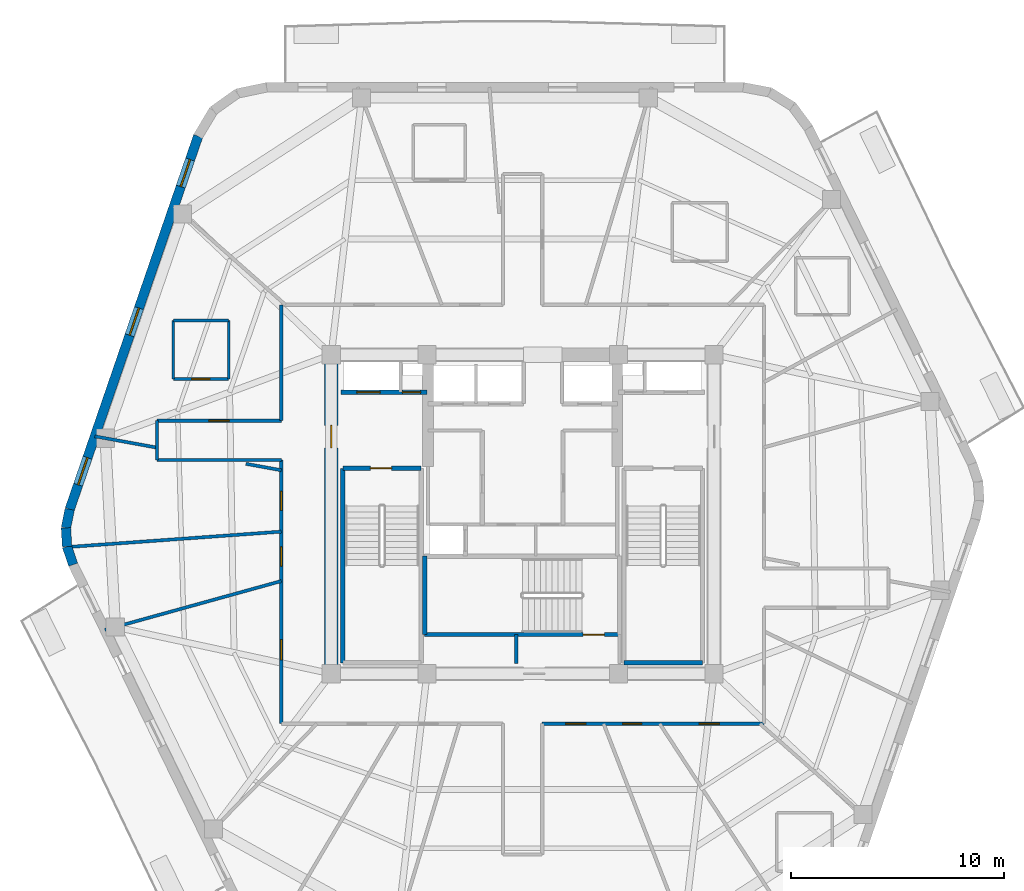
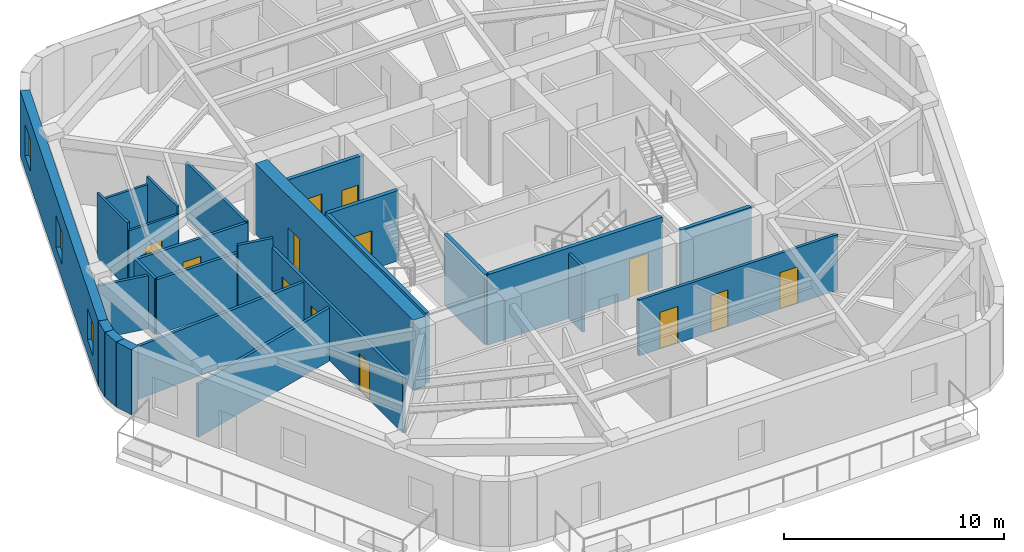
# One storey, part 3 of 9: 26 walls, 13 doors, 3 windows, 16 openings.
"""IFC4 building model written with IfcOpenShell, lengths in metres."""

from ifc_helpers import new_model, si_unit, direction, frame, frame_2d, origin, place, context, subcontext, project, spatial, rectangle, extrude, material, layer, layer_set, type_object, element, fill, save


model = new_model("IFC4")

# Units and contexts
model_context = context("Model", 3, precision=1e-05, world=origin(), true_north=direction((0.0, 1.0)))
body_context = subcontext(model_context, "Body", "Model", "MODEL_VIEW")
ifc_project = project(units=[si_unit("LENGTHUNIT", "METRE"), si_unit("AREAUNIT", "SQUARE_METRE"), si_unit("VOLUMEUNIT", "CUBIC_METRE"), si_unit("PLANEANGLEUNIT", "RADIAN"), si_unit("MASSUNIT", "GRAM", prefix="KILO")], contexts=[model_context])

# Site, building, storey
site_placement = place(None, origin())
site = spatial("IfcSite", under=ifc_project, at=site_placement, CompositionType="ELEMENT")
building_placement = place(site_placement, origin())
building = spatial("IfcBuilding", under=site, at=building_placement, Name="Kilnhurst Terrace Hotel", CompositionType="ELEMENT")
storey_placement = place(building_placement, frame((0.0, 0.0, 280.800048828125)))
storey = spatial("IfcBuildingStorey", under=building, at=storey_placement, Name="L70", CompositionType="ELEMENT", Elevation=280.800048828125)

# Walls
ifc_material_1 = material(Name="Precast concrete C40/50", Category="concrete")
ifc_layer_1 = layer(ifc_material_1, 0.449951171875, Name="Precast concrete C40/50")
ifc_layer_set_1 = layer_set([ifc_layer_1], Name="Precast concrete C40/50")
wall_type_1 = type_object("IfcWallType", Name="WL-BRK-450", PredefinedType="SOLIDWALL", material=ifc_layer_set_1)
wall_1_placement = place(storey_placement, frame((-21.297607421875, 0.2333984375, 0.0), z_axis=(0.0, 0.0, 1.0), x_axis=(-0.199158176661, -0.979967356941, 0.0)))
element("IfcWall", 1, at=wall_1_placement, inside=storey, type_object=wall_type_1, Name="L70 Rounded Corner Brick Wall C6.1", PredefinedType="SOLIDWALL", context=body_context, shape_type="SweptSolid", body=[
    extrude(rectangle(XDim=0.894775390625, YDim=0.449951171875, at=frame_2d((0.447265625, 0.0))), origin(), (0.0, 0.0, 1.0), 3.599853515625),
])
wall_2_placement = place(storey_placement, frame((-21.475830078125, -0.6435546875, 0.0), z_axis=(0.0, 0.0, 1.0), x_axis=(0.061031097918, -0.998135865044, 0.0)))
element("IfcWall", 2, at=wall_2_placement, inside=storey, type_object=wall_type_1, Name="L70 Rounded Corner Brick Wall C6.2", PredefinedType="SOLIDWALL", context=body_context, shape_type="SweptSolid", body=[
    extrude(rectangle(XDim=0.880126953125, YDim=0.449951171875, at=frame_2d((0.43994140625, 0.0))), origin(), (0.0, 0.0, 1.0), 3.599853515625),
])
wall_3_placement = place(storey_placement, frame((-21.422119140625, -1.52197265625, 0.0), z_axis=(0.0, 0.0, 1.0), x_axis=(0.316964162323, -0.94843751497, 0.0)))
element("IfcWall", 3, at=wall_3_placement, inside=storey, type_object=wall_type_1, Name="L70 Rounded Corner Brick Wall C6.3", PredefinedType="SOLIDWALL", context=body_context, shape_type="SweptSolid", body=[
    extrude(rectangle(XDim=0.89501953125, YDim=0.449951171875, at=frame_2d((0.447509765625, 0.0))), origin(), (0.0, 0.0, 1.0), 3.599853515625),
])

# Wall, openings, windows
wall_4_placement = place(storey_placement, frame((-15.260498046875, 17.776123046875, 0.0), z_axis=(0.0, 0.0, 1.0), x_axis=(-0.325407437101, -0.945573899745, 0.0)))
wall_4 = element("IfcWall", 4, at=wall_4_placement, inside=storey, type_object=wall_type_1, Name="L70 Exterior Brick Facade Wall F5", PredefinedType="SOLIDWALL", context=body_context, shape_type="SweptSolid", body=[
    extrude(rectangle(XDim=18.552490234375, YDim=0.449951171875, at=frame_2d((9.2763671875, 0.0))), origin(), (0.0, 0.0, 1.0), 3.599853515625),
])
opening_1_placement = place(wall_4_placement, frame((1.160888671875, 0.0, 0.800048828125)))
opening_1 = element("IfcOpeningElement", 5, at=opening_1_placement, cuts=wall_4, Name="Opening W-06", PredefinedType="OPENING", context=body_context, shape_type="SweptSolid", body=[
    extrude(rectangle(XDim=1.35009765625, YDim=1.75, at=frame_2d((0.675048828125, 0.875))), frame((0.0, 0.23486328125, 0.0), z_axis=(0.0, -1.0, 0.0), x_axis=(1.0, 0.0, 0.0)), (0.0, 0.0, 1.0), 0.469970703125),
])
opening_2_placement = place(wall_4_placement, frame((8.548095703125, 0.0, 0.800048828125)))
opening_2 = element("IfcOpeningElement", 6, at=opening_2_placement, cuts=wall_4, Name="Opening W-06", PredefinedType="OPENING", context=body_context, shape_type="SweptSolid", body=[
    extrude(rectangle(XDim=1.35009765625, YDim=1.75, at=frame_2d((0.675048828125, 0.875))), frame((0.0, 0.23486328125, 0.0), z_axis=(0.0, -1.0, 0.0), x_axis=(1.0, 0.0, 0.0)), (0.0, 0.0, 1.0), 0.469970703125),
])
opening_3_placement = place(wall_4_placement, frame((15.987060546875, 0.0, 0.800048828125)))
opening_3 = element("IfcOpeningElement", 7, at=opening_3_placement, cuts=wall_4, Name="Opening W-06", PredefinedType="OPENING", context=body_context, shape_type="SweptSolid", body=[
    extrude(rectangle(XDim=1.35009765625, YDim=1.75, at=frame_2d((0.675048828125, 0.875))), frame((0.0, 0.23486328125, 0.0), z_axis=(0.0, -1.0, 0.0), x_axis=(1.0, 0.0, 0.0)), (0.0, 0.0, 1.0), 0.469970703125),
])
ifc_material_2 = material(Name="Thermally Broken Bronze Aluminium Alloy 6063-T6 and Low-E Glass", Category="aluminium")
window_type = type_object("IfcWindowType", Name="WIN-1350X1750", PartitioningType="SINGLE_PANEL", PredefinedType="WINDOW", material=ifc_material_2)
window_1_placement = place(opening_1_placement, origin())
window_1 = element("IfcWindow", 8, at=window_1_placement, inside=storey, type_object=window_type, Name="L70 Deep-Set Masonry Window F5.1", OverallHeight=1.75, OverallWidth=1.35009765625, PartitioningType="SINGLE_PANEL", PredefinedType="WINDOW", context=body_context, shape_type="SweptSolid", body=[
    extrude(rectangle(XDim=1.35009765625, YDim=1.75, at=frame_2d((0.675048828125, 0.875))), frame((0.0, 0.030029296875, 0.0), z_axis=(0.0, -1.0, 0.0), x_axis=(1.0, 0.0, 0.0)), (0.0, 0.0, 1.0), 0.06005859375),
])
fill(opening_1, window_1)
window_2_placement = place(opening_2_placement, origin())
window_2 = element("IfcWindow", 9, at=window_2_placement, inside=storey, type_object=window_type, Name="L70 Deep-Set Masonry Window F5.2", OverallHeight=1.75, OverallWidth=1.35009765625, PartitioningType="SINGLE_PANEL", PredefinedType="WINDOW", context=body_context, shape_type="SweptSolid", body=[
    extrude(rectangle(XDim=1.35009765625, YDim=1.75, at=frame_2d((0.675048828125, 0.875))), frame((0.0, 0.030029296875, 0.0), z_axis=(0.0, -1.0, 0.0), x_axis=(1.0, 0.0, 0.0)), (0.0, 0.0, 1.0), 0.06005859375),
])
fill(opening_2, window_2)
window_3_placement = place(opening_3_placement, origin())
window_3 = element("IfcWindow", 10, at=window_3_placement, inside=storey, type_object=window_type, Name="L70 Deep-Set Masonry Window F5.3", OverallHeight=1.75, OverallWidth=1.35009765625, PartitioningType="SINGLE_PANEL", PredefinedType="WINDOW", context=body_context, shape_type="SweptSolid", body=[
    extrude(rectangle(XDim=1.35009765625, YDim=1.75, at=frame_2d((0.675048828125, 0.875))), frame((0.0, 0.030029296875, 0.0), z_axis=(0.0, -1.0, 0.0), x_axis=(1.0, 0.0, 0.0)), (0.0, 0.0, 1.0), 0.06005859375),
])
fill(opening_3, window_3)

# Wall, openings, doors
ifc_material_3 = material(Name="Acoustic Double-Gypsum Corridor Partition Assembly")
ifc_layer_2 = layer(ifc_material_3, 0.14990234375, Name="Acoustic Double-Gypsum Corridor Partition Assembly")
ifc_layer_set_2 = layer_set([ifc_layer_2], Name="Acoustic Double-Gypsum Corridor Partition Assembly")
wall_type_2 = type_object("IfcWallType", Name="WL-COR-150", PredefinedType="PARTITIONING", material=ifc_layer_set_2)
wall_5_placement = place(storey_placement, frame((-11.35009765625, -9.85009765625, 0.0), z_axis=(0.0, 0.0, 1.0), x_axis=(0.0, 1.0, 0.0)))
wall_5 = element("IfcWall", 11, at=wall_5_placement, inside=storey, type_object=wall_type_2, Name="L70 Interior Wall WL-L70-COR-01", PredefinedType="PARTITIONING", context=body_context, shape_type="SweptSolid", body=[
    extrude(rectangle(XDim=12.400146484375, YDim=0.14990234375, at=frame_2d((6.2001953125, 0.0))), origin(), (0.0, 0.0, 1.0), 3.08984375),
])
opening_4_placement = place(wall_5_placement, frame((10.02587890625, 0.0, 0.0)))
opening_4 = element("IfcOpeningElement", 12, at=opening_4_placement, cuts=wall_5, Name="Opening D-60C", PredefinedType="OPENING", context=body_context, shape_type="SweptSolid", body=[
    extrude(rectangle(XDim=0.89990234375, YDim=2.030029296875, at=frame_2d((0.449951171875, 1.01513671875))), frame((0.0, 0.0849609375, 0.0), z_axis=(0.0, -1.0, 0.0), x_axis=(1.0, 0.0, 0.0)), (0.0, 0.0, 1.0), 0.169921875),
])
opening_5_placement = place(wall_5_placement, frame((7.4150390625, 0.0, 0.0)))
opening_5 = element("IfcOpeningElement", 13, at=opening_5_placement, cuts=wall_5, Name="Opening D-60C", PredefinedType="OPENING", context=body_context, shape_type="SweptSolid", body=[
    extrude(rectangle(XDim=0.89990234375, YDim=2.030029296875, at=frame_2d((0.449951171875, 1.01513671875))), frame((0.0, 0.0849609375, 0.0), z_axis=(0.0, -1.0, 0.0), x_axis=(1.0, 0.0, 0.0)), (0.0, 0.0, 1.0), 0.169921875),
])
opening_6_placement = place(wall_5_placement, frame((2.998046875, 0.0, 0.0)))
opening_6 = element("IfcOpeningElement", 14, at=opening_6_placement, cuts=wall_5, Name="Opening D-60B", PredefinedType="OPENING", context=body_context, shape_type="SweptSolid", body=[
    extrude(rectangle(XDim=0.949951171875, YDim=2.030029296875, at=frame_2d((0.47509765625, 1.01513671875))), frame((0.0, 0.0849609375, 0.0), z_axis=(0.0, -1.0, 0.0), x_axis=(1.0, 0.0, 0.0)), (0.0, 0.0, 1.0), 0.169921875),
])
ifc_material_4 = material(Name="Painted Solid-Core Service Fire Door")
door_type_1 = type_object("IfcDoorType", Name="DR-FD60-900", OperationType="NOTDEFINED", PredefinedType="DOOR", material=ifc_material_4)
door_1_placement = place(opening_4_placement, origin())
door_1 = element("IfcDoor", 15, at=door_1_placement, inside=storey, type_object=door_type_1, Name="L70 Botanical Reading Lounge Door 8", OperationType="SINGLE_SWING_RIGHT", OverallHeight=2.030029296875, OverallWidth=0.89990234375, PredefinedType="DOOR", context=body_context, shape_type="SweptSolid", body=[
    extrude(rectangle(XDim=0.89990234375, YDim=2.030029296875, at=frame_2d((0.449951171875, 1.01513671875))), frame((0.0, 0.02490234375, 0.0), z_axis=(0.0, -1.0, 0.0), x_axis=(1.0, 0.0, 0.0)), (0.0, 0.0, 1.0), 0.050048828125),
])
fill(opening_4, door_1)
door_2_placement = place(opening_5_placement, origin())
door_2 = element("IfcDoor", 16, at=door_2_placement, inside=storey, type_object=door_type_1, Name="L70 Private Meeting Salon Door 9", OperationType="SINGLE_SWING_LEFT", OverallHeight=2.030029296875, OverallWidth=0.89990234375, PredefinedType="DOOR", context=body_context, shape_type="SweptSolid", body=[
    extrude(rectangle(XDim=0.89990234375, YDim=2.030029296875, at=frame_2d((0.449951171875, 1.01513671875))), frame((0.0, 0.02490234375, 0.0), z_axis=(0.0, -1.0, 0.0), x_axis=(1.0, 0.0, 0.0)), (0.0, 0.0, 1.0), 0.050048828125),
])
fill(opening_5, door_2)
ifc_material_5 = material(Name="Acoustic Walnut Veneer Solid-Core Fire Door")
door_type_2 = type_object("IfcDoorType", Name="DR-FD60-950", OperationType="NOTDEFINED", PredefinedType="DOOR", material=ifc_material_5)
door_3_placement = place(opening_6_placement, origin())
door_3 = element("IfcDoor", 17, at=door_3_placement, inside=storey, type_object=door_type_2, Name="L70 Wellness Spa Room Door", OperationType="SINGLE_SWING_RIGHT", OverallHeight=2.030029296875, OverallWidth=0.949951171875, PredefinedType="DOOR", context=body_context, shape_type="SweptSolid", body=[
    extrude(rectangle(XDim=0.949951171875, YDim=2.030029296875, at=frame_2d((0.47509765625, 1.01513671875))), frame((0.0, 0.02490234375, 0.0), z_axis=(0.0, -1.0, 0.0), x_axis=(1.0, 0.0, 0.0)), (0.0, 0.0, 1.0), 0.050048828125),
])
fill(opening_6, door_3)

# Walls
wall_6_placement = place(storey_placement, frame((-11.35009765625, 2.550048828125, 0.0), z_axis=(0.0, 0.0, 1.0), x_axis=(-1.0, 0.0, 0.0)))
element("IfcWall", 18, at=wall_6_placement, inside=storey, type_object=wall_type_2, Name="L70 Interior Wall WL-L70-COR-02", PredefinedType="PARTITIONING", context=body_context, shape_type="SweptSolid", body=[
    extrude(rectangle(XDim=5.849853515625, YDim=0.14990234375, at=frame_2d((2.9248046875, 0.0))), origin(), (0.0, 0.0, 1.0), 3.04052734375),
])
wall_7_placement = place(storey_placement, frame((-17.199951171875, 2.550048828125, 0.0), z_axis=(0.0, 0.0, 1.0), x_axis=(0.0, 1.0, 0.0)))
element("IfcWall", 19, at=wall_7_placement, inside=storey, type_object=wall_type_2, Name="L70 Interior Wall WL-L70-COR-03", PredefinedType="PARTITIONING", context=body_context, shape_type="SweptSolid", body=[
    extrude(rectangle(XDim=1.849853515625, YDim=0.14990234375, at=frame_2d((0.9248046875, 0.0))), origin(), (0.0, 0.0, 1.0), 3.08984375),
])

# Wall, opening, door
wall_8_placement = place(storey_placement, frame((-17.199951171875, 4.39990234375, 0.0), z_axis=(0.0, 0.0, 1.0), x_axis=(1.0, 0.0, 0.0)))
wall_8 = element("IfcWall", 20, at=wall_8_placement, inside=storey, type_object=wall_type_2, Name="L70 Interior Wall WL-L70-COR-04", PredefinedType="PARTITIONING", context=body_context, shape_type="SweptSolid", body=[
    extrude(rectangle(XDim=5.849853515625, YDim=0.14990234375, at=frame_2d((2.9248046875, 0.0))), origin(), (0.0, 0.0, 1.0), 3.04052734375),
])
opening_7_placement = place(wall_8_placement, frame((2.449951171875, 0.0, 0.0)))
opening_7 = element("IfcOpeningElement", 21, at=opening_7_placement, cuts=wall_8, Name="Opening D-60B", PredefinedType="OPENING", context=body_context, shape_type="SweptSolid", body=[
    extrude(rectangle(XDim=0.949951171875, YDim=2.030029296875, at=frame_2d((0.47509765625, 1.01513671875))), frame((0.0, 0.0849609375, 0.0), z_axis=(0.0, -1.0, 0.0), x_axis=(1.0, 0.0, 0.0)), (0.0, 0.0, 1.0), 0.169921875),
])
door_4_placement = place(opening_7_placement, origin())
door_4 = element("IfcDoor", 22, at=door_4_placement, inside=storey, type_object=door_type_2, Name="L70 Executive Suite Entry Door 7", OperationType="SINGLE_SWING_LEFT", OverallHeight=2.030029296875, OverallWidth=0.949951171875, PredefinedType="DOOR", context=body_context, shape_type="SweptSolid", body=[
    extrude(rectangle(XDim=0.949951171875, YDim=2.030029296875, at=frame_2d((0.47509765625, 1.01513671875))), frame((0.0, 0.02490234375, 0.0), z_axis=(0.0, -1.0, 0.0), x_axis=(1.0, 0.0, 0.0)), (0.0, 0.0, 1.0), 0.050048828125),
])
fill(opening_7, door_4)

# Wall
wall_9_placement = place(storey_placement, frame((-11.35009765625, 4.39990234375, 0.0), z_axis=(0.0, 0.0, 1.0), x_axis=(0.0, 1.0, 0.0)))
element("IfcWall", 23, at=wall_9_placement, inside=storey, type_object=wall_type_2, Name="L70 Interior Wall WL-L70-COR-05", PredefinedType="PARTITIONING", context=body_context, shape_type="SweptSolid", body=[
    extrude(rectangle(XDim=5.4501953125, YDim=0.14990234375, at=frame_2d((2.72509765625, 0.0))), origin(), (0.0, 0.0, 1.0), 3.08984375),
])

# Wall, openings, doors
wall_10_placement = place(storey_placement, frame((11.35009765625, -9.85009765625, 0.0), z_axis=(0.0, 0.0, 1.0), x_axis=(-1.0, 0.0, 0.0)))
wall_10 = element("IfcWall", 24, at=wall_10_placement, inside=storey, type_object=wall_type_2, Name="L70 Interior Wall WL-L70-COR-16", PredefinedType="PARTITIONING", context=body_context, shape_type="SweptSolid", body=[
    extrude(rectangle(XDim=10.43017578125, YDim=0.14990234375, at=frame_2d((5.215087890625, 0.0))), origin(), (0.0, 0.0, 1.0), 3.08984375),
])
opening_8_placement = place(wall_10_placement, frame((8.382080078125, 0.0, 0.0)))
opening_8 = element("IfcOpeningElement", 25, at=opening_8_placement, cuts=wall_10, Name="Opening D-60B", PredefinedType="OPENING", context=body_context, shape_type="SweptSolid", body=[
    extrude(rectangle(XDim=0.949951171875, YDim=2.030029296875, at=frame_2d((0.47509765625, 1.01513671875))), frame((0.0, 0.0849609375, 0.0), z_axis=(0.0, -1.0, 0.0), x_axis=(1.0, 0.0, 0.0)), (0.0, 0.0, 1.0), 0.169921875),
])
opening_9_placement = place(wall_10_placement, frame((5.75, 0.0, 0.0)))
opening_9 = element("IfcOpeningElement", 26, at=opening_9_placement, cuts=wall_10, Name="Opening D-60C", PredefinedType="OPENING", context=body_context, shape_type="SweptSolid", body=[
    extrude(rectangle(XDim=0.89990234375, YDim=2.030029296875, at=frame_2d((0.449951171875, 1.01513671875))), frame((0.0, 0.0849609375, 0.0), z_axis=(0.0, -1.0, 0.0), x_axis=(1.0, 0.0, 0.0)), (0.0, 0.0, 1.0), 0.169921875),
])
opening_10_placement = place(wall_10_placement, frame((2.096923828125, 0.0, 0.0)))
opening_10 = element("IfcOpeningElement", 27, at=opening_10_placement, cuts=wall_10, Name="Opening D-60B", PredefinedType="OPENING", context=body_context, shape_type="SweptSolid", body=[
    extrude(rectangle(XDim=0.949951171875, YDim=2.030029296875, at=frame_2d((0.47509765625, 1.01513671875))), frame((0.0, 0.0849609375, 0.0), z_axis=(0.0, -1.0, 0.0), x_axis=(1.0, 0.0, 0.0)), (0.0, 0.0, 1.0), 0.169921875),
])
door_5_placement = place(opening_9_placement, origin())
door_5 = element("IfcDoor", 28, at=door_5_placement, inside=storey, type_object=door_type_1, Name="L70 Executive Work Office Door 14", OperationType="SINGLE_SWING_RIGHT", OverallHeight=2.030029296875, OverallWidth=0.89990234375, PredefinedType="DOOR", context=body_context, shape_type="SweptSolid", body=[
    extrude(rectangle(XDim=0.89990234375, YDim=2.030029296875, at=frame_2d((0.449951171875, 1.01513671875))), frame((0.0, 0.02490234375, 0.0), z_axis=(0.0, -1.0, 0.0), x_axis=(1.0, 0.0, 0.0)), (0.0, 0.0, 1.0), 0.050048828125),
])
fill(opening_9, door_5)
door_6_placement = place(opening_8_placement, origin())
door_6 = element("IfcDoor", 29, at=door_6_placement, inside=storey, type_object=door_type_2, Name="L70 Fitness Studio Door", OperationType="SINGLE_SWING_LEFT", OverallHeight=2.030029296875, OverallWidth=0.949951171875, PredefinedType="DOOR", context=body_context, shape_type="SweptSolid", body=[
    extrude(rectangle(XDim=0.949951171875, YDim=2.030029296875, at=frame_2d((0.47509765625, 1.01513671875))), frame((0.0, 0.02490234375, 0.0), z_axis=(0.0, -1.0, 0.0), x_axis=(1.0, 0.0, 0.0)), (0.0, 0.0, 1.0), 0.050048828125),
])
fill(opening_8, door_6)
door_7_placement = place(opening_10_placement, origin())
door_7 = element("IfcDoor", 30, at=door_7_placement, inside=storey, type_object=door_type_2, Name="L70 Guest Room Entry Door 15", OperationType="SINGLE_SWING_LEFT", OverallHeight=2.030029296875, OverallWidth=0.949951171875, PredefinedType="DOOR", context=body_context, shape_type="SweptSolid", body=[
    extrude(rectangle(XDim=0.949951171875, YDim=2.030029296875, at=frame_2d((0.47509765625, 1.01513671875))), frame((0.0, 0.02490234375, 0.0), z_axis=(0.0, -1.0, 0.0), x_axis=(1.0, 0.0, 0.0)), (0.0, 0.0, 1.0), 0.050048828125),
])
fill(opening_10, door_7)

# Wall, opening, door
ifc_material_6 = material(Name="Concrete C60/75", Category="concrete")
ifc_layer_3 = layer(ifc_material_6, 0.64990234375, Name="Concrete C60/75")
ifc_layer_set_3 = layer_set([ifc_layer_3], Name="Concrete C60/75")
wall_type_3 = type_object("IfcWallType", Name="WL-CORE-650", PredefinedType="SHEAR", material=ifc_layer_set_3)
wall_11_placement = place(storey_placement, frame((-9.0, -7.175048828125, 0.0), z_axis=(0.0, 0.0, 1.0), x_axis=(0.0, 1.0, 0.0)))
wall_11 = element("IfcWall", 31, at=wall_11_placement, inside=storey, type_object=wall_type_3, Name="L70 Core West Shear Wall", PredefinedType="SHEAR", context=body_context, shape_type="SweptSolid", body=[
    extrude(rectangle(XDim=14.35009765625, YDim=0.64990234375, at=frame_2d((7.175048828125, 0.0))), origin(), (0.0, 0.0, 1.0), 3.89990234375),
])
opening_11_placement = place(wall_11_placement, frame((10.300048828125, 0.0, 0.0)))
opening_11 = element("IfcOpeningElement", 32, at=opening_11_placement, cuts=wall_11, Name="Opening D-90A", PredefinedType="OPENING", context=body_context, shape_type="SweptSolid", body=[
    extrude(rectangle(XDim=1.050048828125, YDim=2.14990234375, at=frame_2d((0.52490234375, 1.074951171875))), frame((0.0, 0.3349609375, 0.0), z_axis=(0.0, -1.0, 0.0), x_axis=(1.0, 0.0, 0.0)), (0.0, 0.0, 1.0), 0.669921875),
])
ifc_material_7 = material(Name="Painted Hollow Metal Steel ASTM A36 Fire Door", Category="steel")
door_type_3 = type_object("IfcDoorType", Name="DR-FD90-1050", OperationType="NOTDEFINED", PredefinedType="DOOR", material=ifc_material_7)
door_8_placement = place(opening_11_placement, origin())
door_8 = element("IfcDoor", 33, at=door_8_placement, inside=storey, type_object=door_type_3, Name="L70 West Firefighting Lobby Door", OperationType="SINGLE_SWING_RIGHT", OverallHeight=2.14990234375, OverallWidth=1.050048828125, PredefinedType="DOOR", context=body_context, shape_type="SweptSolid", body=[
    extrude(rectangle(XDim=1.050048828125, YDim=2.14990234375, at=frame_2d((0.52490234375, 1.074951171875))), frame((0.0, 0.02490234375, 0.0), z_axis=(0.0, -1.0, 0.0), x_axis=(1.0, 0.0, 0.0)), (0.0, 0.0, 1.0), 0.050048828125),
])
fill(opening_11, door_8)

# Walls
ifc_material_8 = material(Name="STC-58 Acoustic Twin-Frame Guestroom Demising Partition")
ifc_layer_4 = layer(ifc_material_8, 0.14990234375, Name="STC-58 Acoustic Twin-Frame Guestroom Demising Partition")
ifc_layer_set_4 = layer_set([ifc_layer_4], Name="STC-58 Acoustic Twin-Frame Guestroom Demising Partition")
wall_type_4 = type_object("IfcWallType", Name="WL-DEM-150", PredefinedType="PARTITIONING", material=ifc_layer_set_4)
wall_12_placement = place(storey_placement, frame((-11.35009765625, 2.067138671875, 0.0), z_axis=(0.0, 0.0, 1.0), x_axis=(-0.983807459651, 0.179228575665, 0.0)))
element("IfcWall", 34, at=wall_12_placement, inside=storey, type_object=wall_type_4, Name="L70 Interior Wall WL-L70-DEM-COL06-08-1", PredefinedType="PARTITIONING", context=body_context, shape_type="SweptSolid", body=[
    extrude(rectangle(XDim=1.6904296875, YDim=0.14990234375, at=frame_2d((0.84521484375, 0.0))), origin(), (0.0, 0.0, 1.0), 3.599853515625),
])
wall_13_placement = place(storey_placement, frame((-17.199951171875, 3.132568359375, 0.0), z_axis=(0.0, 0.0, 1.0), x_axis=(-0.983817168797, 0.179175272791, 0.0)))
element("IfcWall", 35, at=wall_13_placement, inside=storey, type_object=wall_type_4, Name="L70 Interior Wall WL-L70-DEM-COL06-08-2", PredefinedType="PARTITIONING", context=body_context, shape_type="SweptSolid", body=[
    extrude(rectangle(XDim=2.965087890625, YDim=0.14990234375, at=frame_2d((1.482421875, 0.0))), origin(), (0.0, 0.0, 1.0), 2.93994140625),
])
wall_14_placement = place(storey_placement, frame((-11.35009765625, -0.81884765625, 0.0), z_axis=(0.0, 0.0, 1.0), x_axis=(-0.997408384284, -0.071948001776, 0.0)))
element("IfcWall", 36, at=wall_14_placement, inside=storey, type_object=wall_type_4, Name="L70 Interior Wall WL-L70-DEM-MID06-09-1", PredefinedType="PARTITIONING", context=body_context, shape_type="SweptSolid", body=[
    extrude(rectangle(XDim=9.92529296875, YDim=0.14990234375, at=frame_2d((4.962646484375, 0.0))), origin(), (0.0, 0.0, 1.0), 2.93994140625),
])
wall_15_placement = place(storey_placement, frame((-11.35009765625, -3.142822265625, 0.0), z_axis=(0.0, 0.0, 1.0), x_axis=(-0.963731818141, -0.266872596386, 0.0)))
element("IfcWall", 37, at=wall_15_placement, inside=storey, type_object=wall_type_4, Name="L70 Interior Wall WL-L70-DEM-COL07-10-1", PredefinedType="PARTITIONING", context=body_context, shape_type="SweptSolid", body=[
    extrude(rectangle(XDim=8.604736328125, YDim=0.14990234375, at=frame_2d((4.30224609375, 0.0))), origin(), (0.0, 0.0, 1.0), 2.93994140625),
])

# Wall, opening, door
ifc_material_9 = material(Name="120 mm Moisture-Resistant Tile-Backed Bathroom Partition")
ifc_layer_5 = layer(ifc_material_9, 0.1201171875, Name="120 mm Moisture-Resistant Tile-Backed Bathroom Partition")
ifc_layer_set_5 = layer_set([ifc_layer_5], Name="120 mm Moisture-Resistant Tile-Backed Bathroom Partition")
wall_type_5 = type_object("IfcWallType", Name="WL-PART-120", PredefinedType="PARTITIONING", material=ifc_layer_set_5)
wall_16_placement = place(storey_placement, frame((-16.427978515625, 6.35888671875, 0.0), z_axis=(0.0, 0.0, 1.0), x_axis=(1.0, 0.0, 0.0)))
wall_16 = element("IfcWall", 38, at=wall_16_placement, inside=storey, type_object=wall_type_5, Name="L70 Interior Wall WL-L70-BTH-07-1", PredefinedType="PARTITIONING", context=body_context, shape_type="SweptSolid", body=[
    extrude(rectangle(XDim=2.60009765625, YDim=0.1201171875, at=frame_2d((1.300048828125, 0.0))), origin(), (0.0, 0.0, 1.0), 3.17236328125),
])
opening_12_placement = place(wall_16_placement, frame((0.875, 0.0, 0.0)))
opening_12 = element("IfcOpeningElement", 39, at=opening_12_placement, cuts=wall_16, Name="Opening D-08A", PredefinedType="OPENING", context=body_context, shape_type="SweptSolid", body=[
    extrude(rectangle(XDim=0.85009765625, YDim=2.030029296875, at=frame_2d((0.425048828125, 1.01513671875))), frame((0.0, 0.070068359375, 0.0), z_axis=(0.0, -1.0, 0.0), x_axis=(1.0, 0.0, 0.0)), (0.0, 0.0, 1.0), 0.14013671875),
])
ifc_material_10 = material(Name="Moisture-Resistant Lacquered En-suite Bathroom Door")
door_type_4 = type_object("IfcDoorType", Name="DR-INT-850", OperationType="NOTDEFINED", PredefinedType="DOOR", material=ifc_material_10)
door_9_placement = place(opening_12_placement, origin())
door_9 = element("IfcDoor", 40, at=door_9_placement, inside=storey, type_object=door_type_4, Name="L70 En-suite Bathroom Door 7", OperationType="SINGLE_SWING_RIGHT", OverallHeight=2.030029296875, OverallWidth=0.85009765625, PredefinedType="DOOR", context=body_context, shape_type="SweptSolid", body=[
    extrude(rectangle(XDim=0.85009765625, YDim=2.030029296875, at=frame_2d((0.425048828125, 1.01513671875))), frame((0.0, 0.02490234375, 0.0), z_axis=(0.0, -1.0, 0.0), x_axis=(1.0, 0.0, 0.0)), (0.0, 0.0, 1.0), 0.050048828125),
])
fill(opening_12, door_9)

# Walls
wall_17_placement = place(storey_placement, frame((-13.827880859375, 6.35888671875, 0.0), z_axis=(0.0, 0.0, 1.0), x_axis=(0.0, 1.0, 0.0)))
element("IfcWall", 41, at=wall_17_placement, inside=storey, type_object=wall_type_5, Name="L70 Interior Wall WL-L70-BTH-07-2", PredefinedType="PARTITIONING", context=body_context, shape_type="SweptSolid", body=[
    extrude(rectangle(XDim=2.75, YDim=0.1201171875, at=frame_2d((1.375, 0.0))), origin(), (0.0, 0.0, 1.0), 3.599853515625),
])
wall_18_placement = place(storey_placement, frame((-13.827880859375, 9.10888671875, 0.0), z_axis=(0.0, 0.0, 1.0), x_axis=(-1.0, 0.0, 0.0)))
element("IfcWall", 42, at=wall_18_placement, inside=storey, type_object=wall_type_5, Name="L70 Interior Wall WL-L70-BTH-07-3", PredefinedType="PARTITIONING", context=body_context, shape_type="SweptSolid", body=[
    extrude(rectangle(XDim=2.60009765625, YDim=0.1201171875, at=frame_2d((1.300048828125, 0.0))), origin(), (0.0, 0.0, 1.0), 3.17236328125),
])
wall_19_placement = place(storey_placement, frame((-16.427978515625, 9.10888671875, 0.0), z_axis=(0.0, 0.0, 1.0), x_axis=(0.0, -1.0, 0.0)))
element("IfcWall", 43, at=wall_19_placement, inside=storey, type_object=wall_type_5, Name="L70 Interior Wall WL-L70-BTH-07-4", PredefinedType="PARTITIONING", context=body_context, shape_type="SweptSolid", body=[
    extrude(rectangle(XDim=2.75, YDim=0.1201171875, at=frame_2d((1.375, 0.0))), origin(), (0.0, 0.0, 1.0), 3.599853515625),
])
ifc_material_11 = material(Name="Fire-Rated Gypsum Shaftliner Assembly")
ifc_layer_6 = layer(ifc_material_11, 0.14990234375, Name="Fire-Rated Gypsum Shaftliner Assembly")
ifc_layer_set_6 = layer_set([ifc_layer_6], Name="Fire-Rated Gypsum Shaftliner Assembly")
wall_type_6 = type_object("IfcWallType", Name="WL-SHAFT-150", PredefinedType="PARTITIONING", material=ifc_layer_set_6)
wall_20_placement = place(storey_placement, frame((-0.300048828125, -7.02001953125, 0.0), z_axis=(0.0, 0.0, 1.0), x_axis=(0.0, 1.0, 0.0)))
element("IfcWall", 44, at=wall_20_placement, inside=storey, type_object=wall_type_6, Name="L70 Interior Wall WL-L70-ST3-PSGW", PredefinedType="PARTITIONING", context=body_context, shape_type="SweptSolid", body=[
    extrude(rectangle(XDim=1.362060546875, YDim=0.14990234375, at=frame_2d((0.68115234375, 0.0))), origin(), (0.0, 0.0, 1.0), 3.599853515625),
])

# Wall, openings, doors
ifc_material_12 = material(Name="Autoclaved Aerated Concrete C30/37 and Gypsum Shaft Assembly", Category="concrete")
ifc_layer_7 = layer(ifc_material_12, 0.199951171875, Name="Autoclaved Aerated Concrete C30/37 and Gypsum Shaft Assembly")
ifc_layer_set_7 = layer_set([ifc_layer_7], Name="Autoclaved Aerated Concrete C30/37 and Gypsum Shaft Assembly")
wall_type_7 = type_object("IfcWallType", Name="WL-SHAFT-200", PredefinedType="PARTITIONING", material=ifc_layer_set_7)
wall_21_placement = place(storey_placement, frame((-8.550048828125, 5.739990234375, 0.0), z_axis=(0.0, 0.0, 1.0), x_axis=(1.0, 0.0, 0.0)))
wall_21 = element("IfcWall", 45, at=wall_21_placement, inside=storey, type_object=wall_type_7, Name="L70 Interior Wall WL-L70-FSAE1-S", PredefinedType="PARTITIONING", context=body_context, shape_type="SweptSolid", body=[
    extrude(rectangle(XDim=4.050048828125, YDim=0.199951171875, at=frame_2d((2.02490234375, 0.0))), origin(), (0.0, 0.0, 1.0), 3.599853515625),
])
opening_13_placement = place(wall_21_placement, frame((0.75, 0.0, 0.0)))
opening_13 = element("IfcOpeningElement", 46, at=opening_13_placement, cuts=wall_21, Name="Opening LD-F1", PredefinedType="OPENING", context=body_context, shape_type="SweptSolid", body=[
    extrude(rectangle(XDim=1.10009765625, YDim=2.199951171875, at=frame_2d((0.550048828125, 1.10009765625))), frame((0.0, 0.10986328125, 0.0), z_axis=(0.0, -1.0, 0.0), x_axis=(1.0, 0.0, 0.0)), (0.0, 0.0, 1.0), 0.219970703125),
])
opening_14_placement = place(wall_21_placement, frame((2.89990234375, 0.0, 0.0)))
opening_14 = element("IfcOpeningElement", 47, at=opening_14_placement, cuts=wall_21, Name="Opening D-60D", PredefinedType="OPENING", context=body_context, shape_type="SweptSolid", body=[
    extrude(rectangle(XDim=0.85009765625, YDim=2.030029296875, at=frame_2d((0.425048828125, 1.01513671875))), frame((0.0, 0.10986328125, 0.0), z_axis=(0.0, -1.0, 0.0), x_axis=(1.0, 0.0, 0.0)), (0.0, 0.0, 1.0), 0.219970703125),
])
ifc_material_13 = material(Name="Painted Hollow Metal Steel ASTM A36 Riser Door", Category="steel")
door_type_5 = type_object("IfcDoorType", Name="DR-FD60-850", OperationType="NOTDEFINED", PredefinedType="DOOR", material=ifc_material_13)
door_10_placement = place(opening_14_placement, origin())
door_10 = element("IfcDoor", 48, at=door_10_placement, inside=storey, type_object=door_type_5, Name="L70 Electrical Riser Door", OperationType="SINGLE_SWING_LEFT", OverallHeight=2.030029296875, OverallWidth=0.85009765625, PredefinedType="DOOR", context=body_context, shape_type="SweptSolid", body=[
    extrude(rectangle(XDim=0.85009765625, YDim=2.030029296875, at=frame_2d((0.425048828125, 1.01513671875))), frame((0.0, 0.02490234375, 0.0), z_axis=(0.0, -1.0, 0.0), x_axis=(1.0, 0.0, 0.0)), (0.0, 0.0, 1.0), 0.050048828125),
])
fill(opening_14, door_10)
ifc_material_14 = material(Name="Bronze-Anodized Stainless Steel AISI 316L Sliding Door", Category="steel")
door_type_6 = type_object("IfcDoorType", Name="DR-LIFT-1100", OperationType="NOTDEFINED", PredefinedType="DOOR", material=ifc_material_14)
door_11_placement = place(opening_13_placement, origin())
door_11 = element("IfcDoor", 49, at=door_11_placement, inside=storey, type_object=door_type_6, Name="L70 FSAE-1 Landing Door", OperationType="SLIDING_TO_LEFT", OverallHeight=2.199951171875, OverallWidth=1.10009765625, PredefinedType="DOOR", context=body_context, shape_type="SweptSolid", body=[
    extrude(rectangle(XDim=1.10009765625, YDim=2.199951171875, at=frame_2d((0.550048828125, 1.10009765625))), frame((0.0, 0.02490234375, 0.0), z_axis=(0.0, -1.0, 0.0), x_axis=(1.0, 0.0, 0.0)), (0.0, 0.0, 1.0), 0.050048828125),
])
fill(opening_13, door_11)

# Wall
ifc_material_15 = material(Name="Concrete C50/60", Category="concrete")
ifc_layer_8 = layer(ifc_material_15, 0.199951171875, Name="Concrete C50/60")
ifc_layer_set_8 = layer_set([ifc_layer_8], Name="Concrete C50/60")
wall_type_8 = type_object("IfcWallType", Name="WL-STAIR-RC-200", PredefinedType="SHEAR", material=ifc_layer_set_8)
wall_22_placement = place(storey_placement, frame((-8.4580078125, -6.985107421875, 0.0), z_axis=(0.0, 0.0, 1.0), x_axis=(0.0, 1.0, 0.0)))
element("IfcWall", 50, at=wall_22_placement, inside=storey, type_object=wall_type_8, Name="L70 Structural Stair Shaft Wall WL-L70-ST1-W", PredefinedType="SHEAR", context=body_context, shape_type="SweptSolid", body=[
    extrude(rectangle(XDim=9.14306640625, YDim=0.199951171875, at=frame_2d((4.571533203125, 0.0))), origin(), (0.0, 0.0, 1.0), 3.89990234375),
])

# Wall, opening, door
wall_23_placement = place(storey_placement, frame((-8.4580078125, 2.157958984375, 0.0), z_axis=(0.0, 0.0, 1.0), x_axis=(1.0, 0.0, 0.0)))
wall_23 = element("IfcWall", 51, at=wall_23_placement, inside=storey, type_object=wall_type_8, Name="L70 Structural Stair Shaft Wall WL-L70-ST1-N", PredefinedType="SHEAR", context=body_context, shape_type="SweptSolid", body=[
    extrude(rectangle(XDim=3.68603515625, YDim=0.199951171875, at=frame_2d((1.843017578125, 0.0))), origin(), (0.0, 0.0, 1.0), 3.89990234375),
])
opening_15_placement = place(wall_23_placement, frame((1.300048828125, 0.0, 0.0)))
opening_15 = element("IfcOpeningElement", 52, at=opening_15_placement, cuts=wall_23, Name="Opening D-90B", PredefinedType="OPENING", context=body_context, shape_type="SweptSolid", body=[
    extrude(rectangle(XDim=1.0, YDim=2.14990234375, at=frame_2d((0.5, 1.074951171875))), frame((0.0, 0.10986328125, 0.0), z_axis=(0.0, -1.0, 0.0), x_axis=(1.0, 0.0, 0.0)), (0.0, 0.0, 1.0), 0.219970703125),
])
door_type_7 = type_object("IfcDoorType", Name="DR-FD90-1000", OperationType="NOTDEFINED", PredefinedType="DOOR", material=ifc_material_7)
door_12_placement = place(opening_15_placement, origin())
door_12 = element("IfcDoor", 53, at=door_12_placement, inside=storey, type_object=door_type_7, Name="L70 Stair ST-1 Door", OperationType="SINGLE_SWING_LEFT", OverallHeight=2.14990234375, OverallWidth=1.0, PredefinedType="DOOR", context=body_context, shape_type="SweptSolid", body=[
    extrude(rectangle(XDim=1.0, YDim=2.14990234375, at=frame_2d((0.5, 1.074951171875))), frame((0.0, 0.02490234375, 0.0), z_axis=(0.0, -1.0, 0.0), x_axis=(1.0, 0.0, 0.0)), (0.0, 0.0, 1.0), 0.050048828125),
])
fill(opening_15, door_12)

# Walls
for number, where, z_axis, x_axis, name in (
    (54, (4.77197265625, -6.985107421875, 0.0), (0.0, 0.0, 1.0), (1.0, 0.0, 0.0), "L70 Structural Stair Shaft Wall WL-L70-ST2-S"),
    (55, (-4.60791015625, -5.657958984375, 0.0), (0.0, 0.0, 1.0), (0.0, 1.0, 0.0), "L70 Structural Stair Shaft Wall WL-L70-ST3-W"),
):
    element("IfcWall", number, at=place(storey_placement, frame(where, z_axis=z_axis, x_axis=x_axis)), inside=storey, type_object=wall_type_8, Name=name, PredefinedType="SHEAR", context=body_context, shape_type="SweptSolid", body=[
        extrude(rectangle(XDim=3.68603515625, YDim=0.199951171875, at=frame_2d((1.843017578125, 0.0))), origin(), (0.0, 0.0, 1.0), 3.89990234375),
    ])

# Wall, opening, door
wall_24_placement = place(storey_placement, frame((-4.60791015625, -5.657958984375, 0.0), z_axis=(0.0, 0.0, 1.0), x_axis=(1.0, 0.0, 0.0)))
wall_24 = element("IfcWall", 56, at=wall_24_placement, inside=storey, type_object=wall_type_8, Name="L70 Structural Stair Shaft Wall WL-L70-ST3-S", PredefinedType="SHEAR", context=body_context, shape_type="SweptSolid", body=[
    extrude(rectangle(XDim=9.166015625, YDim=0.199951171875, at=frame_2d((4.5830078125, 0.0))), origin(), (0.0, 0.0, 1.0), 3.89990234375),
])
opening_16_placement = place(wall_24_placement, frame((7.449951171875, 0.0, 0.0)))
opening_16 = element("IfcOpeningElement", 57, at=opening_16_placement, cuts=wall_24, Name="Opening D-90B", PredefinedType="OPENING", context=body_context, shape_type="SweptSolid", body=[
    extrude(rectangle(XDim=1.0, YDim=2.14990234375, at=frame_2d((0.5, 1.074951171875))), frame((0.0, 0.10986328125, 0.0), z_axis=(0.0, -1.0, 0.0), x_axis=(1.0, 0.0, 0.0)), (0.0, 0.0, 1.0), 0.219970703125),
])
door_13_placement = place(opening_16_placement, origin())
door_13 = element("IfcDoor", 58, at=door_13_placement, inside=storey, type_object=door_type_7, Name="L70 Stair ST-3 Shaft Door", OperationType="SINGLE_SWING_LEFT", OverallHeight=2.14990234375, OverallWidth=1.0, PredefinedType="DOOR", context=body_context, shape_type="SweptSolid", body=[
    extrude(rectangle(XDim=1.0, YDim=2.14990234375, at=frame_2d((0.5, 1.074951171875))), frame((0.0, 0.02490234375, 0.0), z_axis=(0.0, -1.0, 0.0), x_axis=(1.0, 0.0, 0.0)), (0.0, 0.0, 1.0), 0.050048828125),
])
fill(opening_16, door_13)

save(model, "model.ifc")
